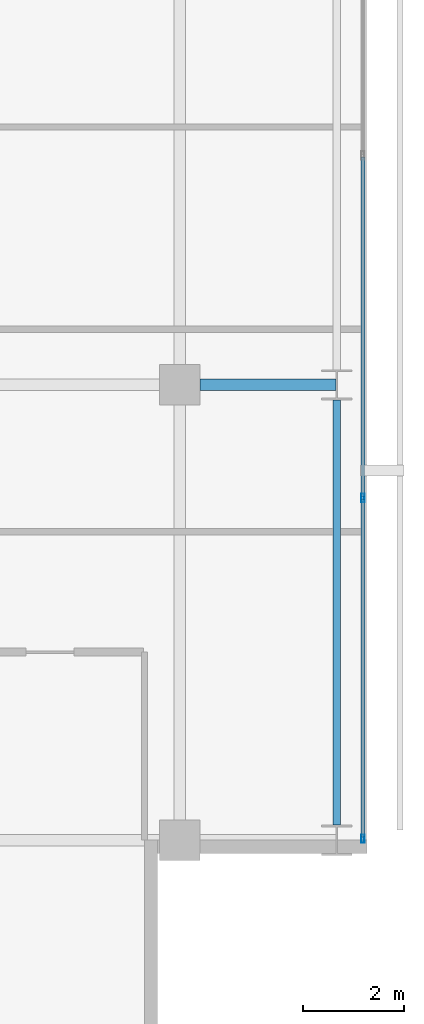
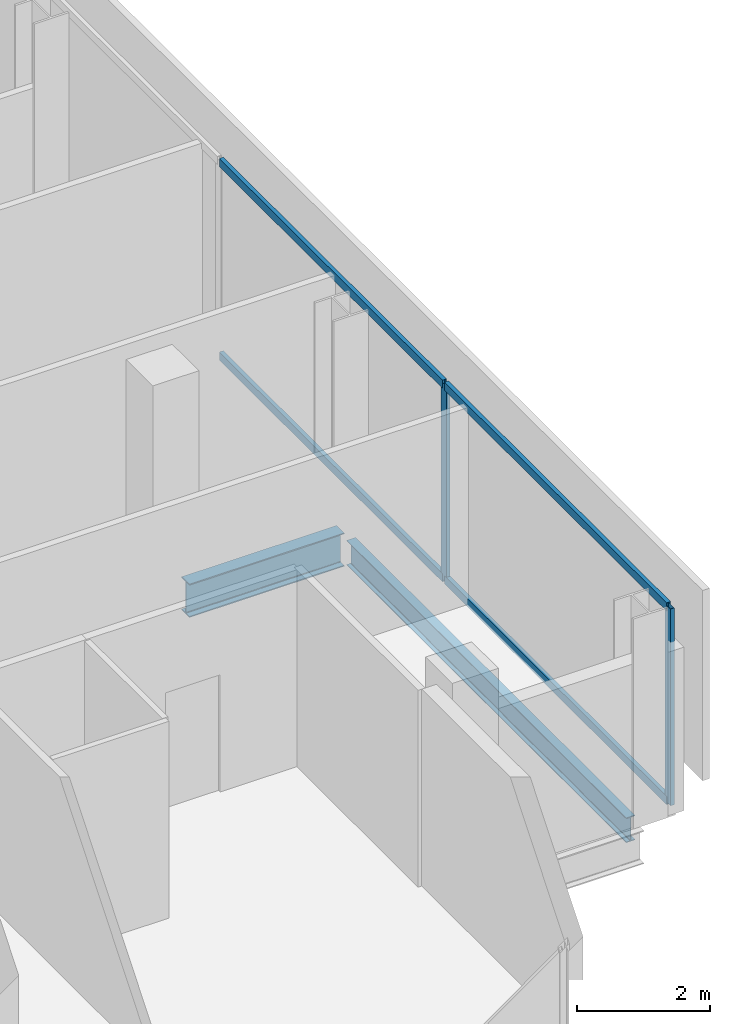
# One storey, part 15 of 34: 6 members, 2 beams, 1 element without a shape of its own.
"""IFC4 building model written with IfcOpenShell, lengths in metres."""

from ifc_helpers import new_model, si_unit, direction, frame, origin, origin_2d, place, context, subcontext, project, spatial, hollow_rectangle, i_section, extrude, material, layer, layer_set, material_profile, profile_set, type_object, element, aggregate, save


model = new_model("IFC4")

# Units and contexts
model_context = context("Model", 3, precision=1e-05, world=origin(), true_north=direction((0.0, 1.0)))
body_context = subcontext(model_context, "Body", "Model", "MODEL_VIEW")
ifc_project = project(units=[si_unit("LENGTHUNIT", "METRE"), si_unit("AREAUNIT", "SQUARE_METRE"), si_unit("VOLUMEUNIT", "CUBIC_METRE"), si_unit("PLANEANGLEUNIT", "RADIAN"), si_unit("MASSUNIT", "GRAM", prefix="KILO")], contexts=[model_context])

# Site, building, storey
site_placement = place(None, origin())
site = spatial("IfcSite", under=ifc_project, at=site_placement, CompositionType="ELEMENT")
building_placement = place(site_placement, origin())
building = spatial("IfcBuilding", under=site, at=building_placement, Name="Maruvema Waterfront Hotel and Observation Tower", CompositionType="ELEMENT")
storey_placement = place(building_placement, frame((0.0, 0.0, 131.25)))
storey = spatial("IfcBuildingStorey", under=building, at=storey_placement, Name="L31", CompositionType="ELEMENT", Elevation=131.25)

# Curtain wall, members
ifc_material_1 = material(Name="Anodised bronze aluminium and solar-control low-E IGU", Category="aluminium")
ifc_layer = layer(ifc_material_1, 0.159912109375, Name="Zone 2 Amber Inner Thermal Curtain Wall System CW-03")
ifc_layer_set = layer_set([ifc_layer], Name="Anodised bronze aluminium and solar-control low-E IGU")
curtain_wall_type = type_object("IfcCurtainWallType", Name="Zone 2 Amber Inner Thermal Curtain Wall System CW-03", PredefinedType="USERDEFINED", material=ifc_layer_set)
curtain_wall_placement = place(storey_placement, origin())
curtain_wall = element("IfcCurtainWall", 1, at=curtain_wall_placement, inside=storey, type_object=curtain_wall_type, Name="L31 Curtain Wall CW-L31-E", ObjectType="UNITISED CURTAIN WALL", PredefinedType="USERDEFINED")
ifc_material_2 = material(Name="Anodised architectural bronze aluminium", Category="aluminium")
ifc_material_profile_1 = material_profile(ifc_material_2, hollow_rectangle(XDim=0.070068359375, YDim=0.14990234375, WallThickness=0.00390625, at=origin_2d()), Name="ALU-T70x150")
ifc_profile_set_1 = profile_set([ifc_material_profile_1], Name="Anodised architectural bronze aluminium")
member_type_1 = type_object("IfcMemberType", Name="Curtain Wall Horizontal Transom ALU-T70x150", PredefinedType="USERDEFINED", material=ifc_profile_set_1)
member_1_placement = place(storey_placement, frame((62.419921875, 9.06005859375, 0.030029296875), z_axis=(0.0, 1.0, 0.0), x_axis=(-1.0, 0.0, 0.0)))
member_1 = element("IfcMember", 2, at=member_1_placement, type_object=member_type_1, Name="CW-03 transom 1.1", ObjectType="TRANSOM", PredefinedType="USERDEFINED", context=body_context, shape_type="SweptSolid", body=[
    extrude(hollow_rectangle(XDim=0.070068359375, YDim=0.14990234375, WallThickness=0.00390625, at=origin_2d()), origin(), (0.0, 0.0, 1.0), 6.676513671875),
])
member_2_placement = place(storey_placement, frame((62.419921875, 9.06005859375, 3.580078125), z_axis=(0.0, 1.0, 0.0), x_axis=(-1.0, 0.0, 0.0)))
member_2 = element("IfcMember", 3, at=member_2_placement, type_object=member_type_1, Name="CW-03 transom 1.2", ObjectType="TRANSOM", PredefinedType="USERDEFINED", context=body_context, shape_type="SweptSolid", body=[
    extrude(hollow_rectangle(XDim=0.070068359375, YDim=0.14990234375, WallThickness=0.00390625, at=origin_2d()), origin(), (0.0, 0.0, 1.0), 6.676513671875),
])
member_3_placement = place(storey_placement, frame((62.419921875, 15.796630859375, 0.030029296875), z_axis=(0.0, 1.0, 0.0), x_axis=(-1.0, 0.0, 0.0)))
member_3 = element("IfcMember", 4, at=member_3_placement, type_object=member_type_1, Name="CW-03 transom 2.1", ObjectType="TRANSOM", PredefinedType="USERDEFINED", context=body_context, shape_type="SweptSolid", body=[
    extrude(hollow_rectangle(XDim=0.070068359375, YDim=0.14990234375, WallThickness=0.00390625, at=origin_2d()), origin(), (0.0, 0.0, 1.0), 6.706787109375),
])
member_4_placement = place(storey_placement, frame((62.419921875, 15.796630859375, 3.580078125), z_axis=(0.0, 1.0, 0.0), x_axis=(-1.0, 0.0, 0.0)))
member_4 = element("IfcMember", 5, at=member_4_placement, type_object=member_type_1, Name="CW-03 transom 2.2", ObjectType="TRANSOM", PredefinedType="USERDEFINED", context=body_context, shape_type="SweptSolid", body=[
    extrude(hollow_rectangle(XDim=0.070068359375, YDim=0.14990234375, WallThickness=0.00390625, at=origin_2d()), origin(), (0.0, 0.0, 1.0), 6.706787109375),
])
ifc_material_3 = material(Name="Anodised architectural bronze aluminium", Category="aluminium")
ifc_material_profile_2 = material_profile(ifc_material_3, hollow_rectangle(XDim=0.06494140625, YDim=0.1650390625, WallThickness=0.00390625, at=origin_2d()), Name="ALU-M65x165")
ifc_profile_set_2 = profile_set([ifc_material_profile_2], Name="Anodised architectural bronze aluminium")
member_type_2 = type_object("IfcMemberType", Name="Curtain Wall Primary Mullion ALU-M65x165", PredefinedType="MULLION", material=ifc_profile_set_2)
member_5_placement = place(storey_placement, frame((62.419921875, 9.030029296875, 0.0), z_axis=(0.0, 0.0, 1.0), x_axis=(-1.0, 0.0, 0.0)))
member_5 = element("IfcMember", 6, at=member_5_placement, type_object=member_type_2, Name="CW-03 mullion 1", PredefinedType="MULLION", context=body_context, shape_type="SweptSolid", body=[
    extrude(hollow_rectangle(XDim=0.06494140625, YDim=0.1650390625, WallThickness=0.00390625, at=origin_2d()), origin(), (0.0, 0.0, 1.0), 3.610107421875),
])
member_6_placement = place(storey_placement, frame((62.419921875, 15.7666015625, 0.0), z_axis=(0.0, 0.0, 1.0), x_axis=(-1.0, 0.0, 0.0)))
member_6 = element("IfcMember", 7, at=member_6_placement, type_object=member_type_2, Name="CW-03 mullion 2", PredefinedType="MULLION", context=body_context, shape_type="SweptSolid", body=[
    extrude(hollow_rectangle(XDim=0.06494140625, YDim=0.1650390625, WallThickness=0.00390625, at=origin_2d()), origin(), (0.0, 0.0, 1.0), 3.610107421875),
])
aggregate(curtain_wall, [member_5, member_6, member_1, member_2, member_3, member_4])

# Beams
ifc_material_4 = material(Name="Steel ASTM A572 Grade 50", Category="steel")
ifc_material_profile_3 = material_profile(ifc_material_4, i_section(OverallWidth=0.153076171875, OverallDepth=0.455078125, WebThickness=0.008056640625, FlangeThickness=0.01318359375, FilletRadius=0.014892578125, at=origin_2d()), Name="W460x60.0")
ifc_profile_set_3 = profile_set([ifc_material_profile_3], Name="Steel ASTM A572 Grade 50")
beam_type_1 = type_object("IfcBeamType", Name="Perimeter Spandrel Beam W460x60.0", PredefinedType="SPANDREL", material=ifc_profile_set_3)
beam_1_placement = place(storey_placement, frame((61.89990234375, 9.300048828125, -0.467529296875), z_axis=(0.0, 1.0, 0.0), x_axis=(-1.0, 0.0, 0.0)))
element("IfcBeam", 8, at=beam_1_placement, inside=storey, type_object=beam_type_1, Name="L31 Floor Girder NS-29", PredefinedType="SPANDREL", context=body_context, shape_type="SweptSolid", body=[
    extrude(i_section(OverallWidth=0.153076171875, OverallDepth=0.455078125, WebThickness=0.008056640625, FlangeThickness=0.01318359375, FilletRadius=0.014892578125, at=origin_2d()), origin(), (0.0, 0.0, 1.0), 8.39990234375),
])
ifc_material_5 = material(Name="Steel ASTM A572 Grade 50", Category="steel")
ifc_material_profile_4 = material_profile(ifc_material_5, i_section(OverallWidth=0.22900390625, OverallDepth=0.612060546875, WebThickness=0.011962890625, FlangeThickness=0.01953125, FilletRadius=0.01806640625, at=origin_2d()), Name="W610x125.0")
ifc_profile_set_4 = profile_set([ifc_material_profile_4], Name="Steel ASTM A572 Grade 50")
beam_type_2 = type_object("IfcBeamType", Name="Primary Floor Girder W610x125.0", PredefinedType="BEAM", material=ifc_profile_set_4)
beam_2_placement = place(storey_placement, frame((59.199951171875, 18.0, -0.5458984375), z_axis=(1.0, 0.0, 0.0), x_axis=(0.0, 1.0, 0.0)))
element("IfcBeam", 9, at=beam_2_placement, inside=storey, type_object=beam_type_2, Name="L31 Floor Girder EW-17", PredefinedType="BEAM", context=body_context, shape_type="SweptSolid", body=[
    extrude(i_section(OverallWidth=0.22900390625, OverallDepth=0.612060546875, WebThickness=0.011962890625, FlangeThickness=0.01953125, FilletRadius=0.01806640625, at=origin_2d()), origin(), (0.0, 0.0, 1.0), 2.6875),
])

save(model, "model.ifc")
